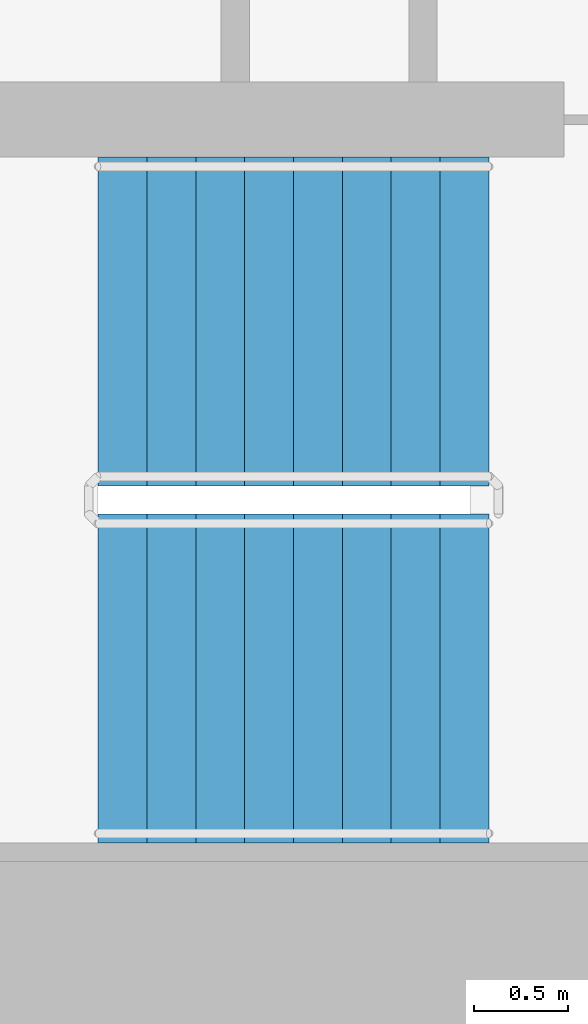
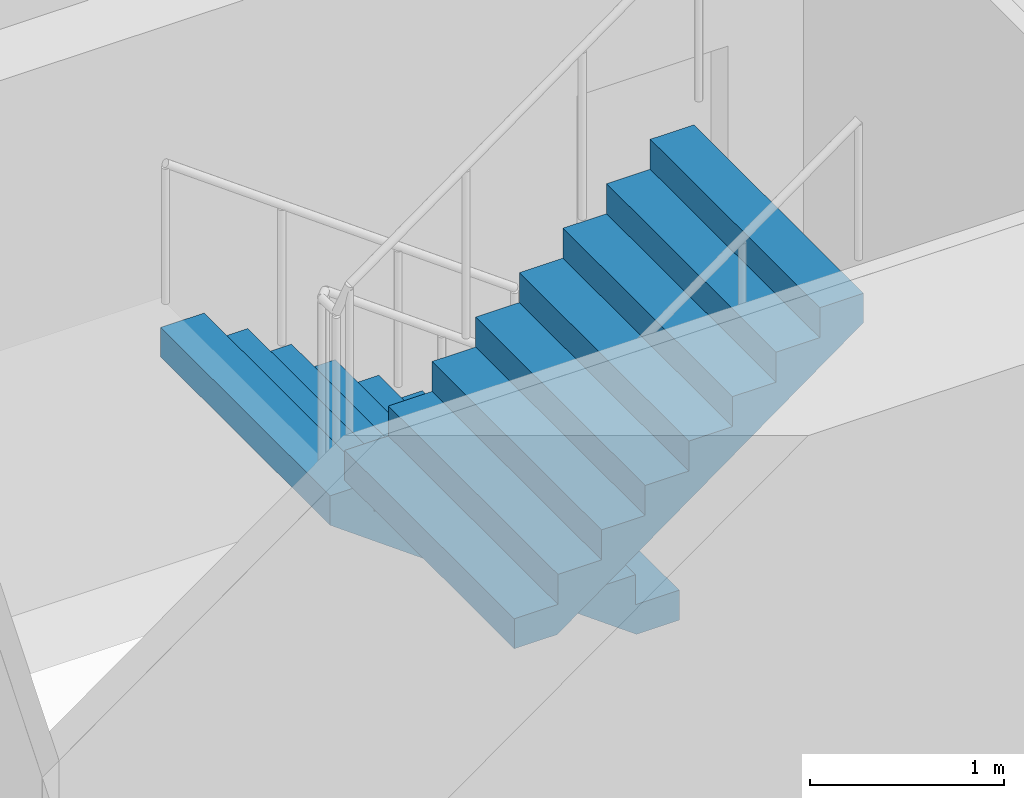
# One storey, part 16 of 21: 2 stair flights, 1 element without a shape of its own.
"""IFC4 building model written with IfcOpenShell, lengths in metres."""

from ifc_helpers import new_model, si_unit, direction, frame, origin, place, context, subcontext, project, spatial, faceted_brep, material, type_object, element, aggregate, save


model = new_model("IFC4")

# Units and contexts
model_context = context("Model", 3, precision=1e-05, world=origin(), true_north=direction((0.0, 1.0)))
body_context = subcontext(model_context, "Body", "Model", "MODEL_VIEW")
ifc_project = project(units=[si_unit("LENGTHUNIT", "METRE"), si_unit("AREAUNIT", "SQUARE_METRE"), si_unit("VOLUMEUNIT", "CUBIC_METRE"), si_unit("PLANEANGLEUNIT", "RADIAN"), si_unit("MASSUNIT", "GRAM", prefix="KILO")], contexts=[model_context])

# Site, building, storey
site_placement = place(None, origin())
site = spatial("IfcSite", under=ifc_project, at=site_placement, CompositionType="ELEMENT")
building_placement = place(site_placement, origin())
building = spatial("IfcBuilding", under=site, at=building_placement, Name="Ipe Terrace Towers", CompositionType="ELEMENT")
storey_placement = place(building_placement, frame((0.0, 0.0, 27.89990234375)))
storey = spatial("IfcBuildingStorey", under=building, at=storey_placement, Name="L06", CompositionType="ELEMENT", Elevation=27.89990234375)

# Stair, stair flights
ifc_material_1 = material(Name="Concrete C30/37", Category="concrete")
stair_type = type_object("IfcStairType", Name="Protected exit stair", PredefinedType="HALF_TURN_STAIR", material=ifc_material_1)
stair_placement = place(storey_placement, origin())
stair = element("IfcStair", 1, at=stair_placement, inside=storey, type_object=stair_type, Name="L06 Exit stair T1-C2", PredefinedType="HALF_TURN_STAIR")
ifc_material_2 = material(Name="Concrete C30/37", Category="concrete")
stair_flight_type = type_object("IfcStairFlightType", Name="Exit stair flight 1750", PredefinedType="STRAIGHT", material=ifc_material_2)
stair_flight_1_placement = place(storey_placement, frame((-45.699951171875, -2.77490234375, 0.0), z_axis=(0.0, 0.0, 1.0), x_axis=(-1.0, 0.0, 0.0)))
stair_flight_1 = element("IfcStairFlight", 2, at=stair_flight_1_placement, type_object=stair_flight_type, Name="T1-ST2 flight 1", NumberOfRisers=9, NumberOfTreads=8, PredefinedType="STRAIGHT", RiserHeight=0.188888889, TreadLength=0.26, context=body_context, shape_type="Brep", body=[
    faceted_brep([(0.255126953125, -0.875, 0.0), (2.080078125, -0.875, 1.325927734375), (2.080078125, -0.875, 1.51123046875), (1.820068359375, -0.875, 1.51123046875), (1.820068359375, -0.875, 1.322265625), (1.56005859375, -0.875, 1.322265625), (1.56005859375, -0.875, 1.13330078125), (1.300048828125, -0.875, 1.13330078125), (1.300048828125, -0.875, 0.9443359375), (1.0400390625, -0.875, 0.9443359375), (1.0400390625, -0.875, 0.755615234375), (0.780029296875, -0.875, 0.755615234375), (0.780029296875, -0.875, 0.566650390625), (0.52001953125, -0.875, 0.566650390625), (0.52001953125, -0.875, 0.377685546875), (0.260009765625, -0.875, 0.377685546875), (0.260009765625, -0.875, 0.18896484375), (0.0, -0.875, 0.18896484375), (0.0, -0.875, 0.0), (0.0, 0.875, 0.0), (0.0, 0.875, 0.18896484375), (0.260009765625, 0.875, 0.18896484375), (0.260009765625, 0.875, 0.377685546875), (0.52001953125, 0.875, 0.377685546875), (0.52001953125, 0.875, 0.566650390625), (0.780029296875, 0.875, 0.566650390625), (0.780029296875, 0.875, 0.755615234375), (1.0400390625, 0.875, 0.755615234375), (1.0400390625, 0.875, 0.9443359375), (1.300048828125, 0.875, 0.9443359375), (1.300048828125, 0.875, 1.13330078125), (1.56005859375, 0.875, 1.13330078125), (1.56005859375, 0.875, 1.322265625), (1.820068359375, 0.875, 1.322265625), (1.820068359375, 0.875, 1.51123046875), (2.080078125, 0.875, 1.51123046875), (2.080078125, 0.875, 1.325927734375), (0.255126953125, 0.875, 0.0), (0.0, -0.300048828125, 0.18896484375), (0.0, -0.1201171875, 0.18896484375), (0.0, -0.06005859375, 0.18896484375), (0.0, -0.030029296875, 0.18896484375), (0.0, -0.010009765625, 0.18896484375), (0.0, 0.0, 0.18896484375), (0.0, 0.010009765625, 0.18896484375), (0.0, 0.030029296875, 0.18896484375), (0.0, 0.06005859375, 0.18896484375), (0.0, 0.1201171875, 0.18896484375), (0.0, 0.300048828125, 0.18896484375), (0.0, 0.300048828125, 0.0), (0.0, 0.1201171875, 0.0), (0.0, 0.06005859375, 0.0), (0.0, 0.030029296875, 0.0), (0.0, 0.010009765625, 0.0), (0.0, 0.0, 0.0), (0.0, -0.010009765625, 0.0), (0.0, -0.030029296875, 0.0), (0.0, -0.06005859375, 0.0), (0.0, -0.1201171875, 0.0), (0.0, -0.300048828125, 0.0), (0.260009765625, -0.300048828125, 0.18896484375), (0.260009765625, -0.1201171875, 0.18896484375), (0.260009765625, -0.06005859375, 0.18896484375), (0.260009765625, -0.030029296875, 0.18896484375), (0.260009765625, -0.010009765625, 0.18896484375), (0.260009765625, 0.0, 0.18896484375), (0.260009765625, 0.010009765625, 0.18896484375), (0.260009765625, 0.030029296875, 0.18896484375), (0.260009765625, 0.06005859375, 0.18896484375), (0.260009765625, 0.1201171875, 0.18896484375), (0.260009765625, 0.300048828125, 0.18896484375), (0.260009765625, -0.300048828125, 0.377685546875), (0.260009765625, -0.1201171875, 0.377685546875), (0.260009765625, -0.06005859375, 0.377685546875), (0.260009765625, -0.030029296875, 0.377685546875), (0.260009765625, -0.010009765625, 0.377685546875), (0.260009765625, 0.0, 0.377685546875), (0.260009765625, 0.010009765625, 0.377685546875), (0.260009765625, 0.030029296875, 0.377685546875), (0.260009765625, 0.06005859375, 0.377685546875), (0.260009765625, 0.1201171875, 0.377685546875), (0.260009765625, 0.300048828125, 0.377685546875), (0.52001953125, -0.300048828125, 0.377685546875), (0.52001953125, -0.1201171875, 0.377685546875), (0.52001953125, -0.06005859375, 0.377685546875), (0.52001953125, -0.030029296875, 0.377685546875), (0.52001953125, -0.010009765625, 0.377685546875), (0.52001953125, 0.0, 0.377685546875), (0.52001953125, 0.010009765625, 0.377685546875), (0.52001953125, 0.030029296875, 0.377685546875), (0.52001953125, 0.06005859375, 0.377685546875), (0.52001953125, 0.1201171875, 0.377685546875), (0.52001953125, 0.300048828125, 0.377685546875), (0.52001953125, -0.300048828125, 0.566650390625), (0.52001953125, -0.1201171875, 0.566650390625), (0.52001953125, -0.06005859375, 0.566650390625), (0.52001953125, -0.030029296875, 0.566650390625), (0.52001953125, -0.010009765625, 0.566650390625), (0.52001953125, 0.0, 0.566650390625), (0.52001953125, 0.010009765625, 0.566650390625), (0.52001953125, 0.030029296875, 0.566650390625), (0.52001953125, 0.06005859375, 0.566650390625), (0.52001953125, 0.1201171875, 0.566650390625), (0.52001953125, 0.300048828125, 0.566650390625), (0.780029296875, -0.300048828125, 0.566650390625), (0.780029296875, -0.1201171875, 0.566650390625), (0.780029296875, -0.06005859375, 0.566650390625), (0.780029296875, -0.030029296875, 0.566650390625), (0.780029296875, -0.010009765625, 0.566650390625), (0.780029296875, 0.0, 0.566650390625), (0.780029296875, 0.010009765625, 0.566650390625), (0.780029296875, 0.030029296875, 0.566650390625), (0.780029296875, 0.06005859375, 0.566650390625), (0.780029296875, 0.1201171875, 0.566650390625), (0.780029296875, 0.300048828125, 0.566650390625), (0.780029296875, -0.300048828125, 0.755615234375), (0.780029296875, -0.1201171875, 0.755615234375), (0.780029296875, -0.06005859375, 0.755615234375), (0.780029296875, -0.030029296875, 0.755615234375), (0.780029296875, -0.010009765625, 0.755615234375), (0.780029296875, 0.0, 0.755615234375), (0.780029296875, 0.010009765625, 0.755615234375), (0.780029296875, 0.030029296875, 0.755615234375), (0.780029296875, 0.06005859375, 0.755615234375), (0.780029296875, 0.1201171875, 0.755615234375), (0.780029296875, 0.300048828125, 0.755615234375), (1.0400390625, -0.300048828125, 0.755615234375), (1.0400390625, -0.1201171875, 0.755615234375), (1.0400390625, -0.06005859375, 0.755615234375), (1.0400390625, -0.030029296875, 0.755615234375), (1.0400390625, -0.010009765625, 0.755615234375), (1.0400390625, 0.0, 0.755615234375), (1.0400390625, 0.010009765625, 0.755615234375), (1.0400390625, 0.030029296875, 0.755615234375), (1.0400390625, 0.06005859375, 0.755615234375), (1.0400390625, 0.1201171875, 0.755615234375), (1.0400390625, 0.300048828125, 0.755615234375), (1.0400390625, -0.300048828125, 0.9443359375), (1.0400390625, -0.1201171875, 0.9443359375), (1.0400390625, -0.06005859375, 0.9443359375), (1.0400390625, -0.030029296875, 0.9443359375), (1.0400390625, -0.010009765625, 0.9443359375), (1.0400390625, 0.0, 0.9443359375), (1.0400390625, 0.010009765625, 0.9443359375), (1.0400390625, 0.030029296875, 0.9443359375), (1.0400390625, 0.06005859375, 0.9443359375), (1.0400390625, 0.1201171875, 0.9443359375), (1.0400390625, 0.300048828125, 0.9443359375), (1.300048828125, -0.300048828125, 0.9443359375), (1.300048828125, -0.1201171875, 0.9443359375), (1.300048828125, -0.06005859375, 0.9443359375), (1.300048828125, -0.030029296875, 0.9443359375), (1.300048828125, -0.010009765625, 0.9443359375), (1.300048828125, 0.0, 0.9443359375), (1.300048828125, 0.010009765625, 0.9443359375), (1.300048828125, 0.030029296875, 0.9443359375), (1.300048828125, 0.06005859375, 0.9443359375), (1.300048828125, 0.1201171875, 0.9443359375), (1.300048828125, 0.300048828125, 0.9443359375), (1.300048828125, -0.300048828125, 1.13330078125), (1.300048828125, -0.1201171875, 1.13330078125), (1.300048828125, -0.06005859375, 1.13330078125), (1.300048828125, -0.030029296875, 1.13330078125), (1.300048828125, -0.010009765625, 1.13330078125), (1.300048828125, 0.0, 1.13330078125), (1.300048828125, 0.010009765625, 1.13330078125), (1.300048828125, 0.030029296875, 1.13330078125), (1.300048828125, 0.06005859375, 1.13330078125), (1.300048828125, 0.1201171875, 1.13330078125), (1.300048828125, 0.300048828125, 1.13330078125), (1.56005859375, -0.300048828125, 1.13330078125), (1.56005859375, -0.1201171875, 1.13330078125), (1.56005859375, -0.06005859375, 1.13330078125), (1.56005859375, -0.030029296875, 1.13330078125), (1.56005859375, -0.010009765625, 1.13330078125), (1.56005859375, 0.0, 1.13330078125), (1.56005859375, 0.010009765625, 1.13330078125), (1.56005859375, 0.030029296875, 1.13330078125), (1.56005859375, 0.06005859375, 1.13330078125), (1.56005859375, 0.1201171875, 1.13330078125), (1.56005859375, 0.300048828125, 1.13330078125), (1.56005859375, -0.300048828125, 1.322265625), (1.56005859375, -0.1201171875, 1.322265625), (1.56005859375, -0.06005859375, 1.322265625), (1.56005859375, -0.030029296875, 1.322265625), (1.56005859375, -0.010009765625, 1.322265625), (1.56005859375, 0.0, 1.322265625), (1.56005859375, 0.010009765625, 1.322265625), (1.56005859375, 0.030029296875, 1.322265625), (1.56005859375, 0.06005859375, 1.322265625), (1.56005859375, 0.1201171875, 1.322265625), (1.56005859375, 0.300048828125, 1.322265625), (1.820068359375, -0.300048828125, 1.322265625), (1.820068359375, -0.1201171875, 1.322265625), (1.820068359375, -0.06005859375, 1.322265625), (1.820068359375, -0.030029296875, 1.322265625), (1.820068359375, -0.010009765625, 1.322265625), (1.820068359375, 0.0, 1.322265625), (1.820068359375, 0.010009765625, 1.322265625), (1.820068359375, 0.030029296875, 1.322265625), (1.820068359375, 0.06005859375, 1.322265625), (1.820068359375, 0.1201171875, 1.322265625), (1.820068359375, 0.300048828125, 1.322265625), (1.820068359375, -0.300048828125, 1.51123046875), (1.820068359375, -0.1201171875, 1.51123046875), (1.820068359375, -0.06005859375, 1.51123046875), (1.820068359375, -0.030029296875, 1.51123046875), (1.820068359375, -0.010009765625, 1.51123046875), (1.820068359375, 0.0, 1.51123046875), (1.820068359375, 0.010009765625, 1.51123046875), (1.820068359375, 0.030029296875, 1.51123046875), (1.820068359375, 0.06005859375, 1.51123046875), (1.820068359375, 0.1201171875, 1.51123046875), (1.820068359375, 0.300048828125, 1.51123046875), (2.080078125, -0.300048828125, 1.51123046875), (2.080078125, -0.1201171875, 1.51123046875), (2.080078125, -0.06005859375, 1.51123046875), (2.080078125, -0.030029296875, 1.51123046875), (2.080078125, -0.010009765625, 1.51123046875), (2.080078125, 0.0, 1.51123046875), (2.080078125, 0.010009765625, 1.51123046875), (2.080078125, 0.030029296875, 1.51123046875), (2.080078125, 0.06005859375, 1.51123046875), (2.080078125, 0.1201171875, 1.51123046875), (2.080078125, 0.300048828125, 1.51123046875), (2.080078125, -0.300048828125, 1.325927734375), (2.080078125, -0.1201171875, 1.325927734375), (2.080078125, -0.06005859375, 1.325927734375), (2.080078125, -0.030029296875, 1.325927734375), (2.080078125, -0.010009765625, 1.325927734375), (2.080078125, 0.0, 1.325927734375), (2.080078125, 0.010009765625, 1.325927734375), (2.080078125, 0.030029296875, 1.325927734375), (2.080078125, 0.06005859375, 1.325927734375), (2.080078125, 0.1201171875, 1.325927734375), (2.080078125, 0.300048828125, 1.325927734375), (0.255126953125, -0.300048828125, 0.0), (0.255126953125, -0.1201171875, 0.0), (0.255126953125, -0.06005859375, 0.0), (0.255126953125, -0.030029296875, 0.0), (0.255126953125, -0.010009765625, 0.0), (0.255126953125, 0.0, 0.0), (0.255126953125, 0.010009765625, 0.0), (0.255126953125, 0.030029296875, 0.0), (0.255126953125, 0.06005859375, 0.0), (0.255126953125, 0.1201171875, 0.0), (0.255126953125, 0.300048828125, 0.0)], [[[0, 1, 2, 3, 4, 5, 6, 7, 8, 9, 10, 11, 12, 13, 14, 15, 16, 17, 18]], [[19, 20, 21, 22, 23, 24, 25, 26, 27, 28, 29, 30, 31, 32, 33, 34, 35, 36, 37]], [[17, 38, 39, 40, 41, 42, 43, 44, 45, 46, 47, 48, 20, 19, 49, 50, 51, 52, 53, 54, 55, 56, 57, 58, 59, 18]], [[16, 60, 61, 62, 63, 64, 65, 66, 67, 68, 69, 70, 21, 20, 48, 47, 46, 45, 44, 43, 42, 41, 40, 39, 38, 17]], [[15, 71, 72, 73, 74, 75, 76, 77, 78, 79, 80, 81, 22, 21, 70, 69, 68, 67, 66, 65, 64, 63, 62, 61, 60, 16]], [[14, 82, 83, 84, 85, 86, 87, 88, 89, 90, 91, 92, 23, 22, 81, 80, 79, 78, 77, 76, 75, 74, 73, 72, 71, 15]], [[13, 93, 94, 95, 96, 97, 98, 99, 100, 101, 102, 103, 24, 23, 92, 91, 90, 89, 88, 87, 86, 85, 84, 83, 82, 14]], [[12, 104, 105, 106, 107, 108, 109, 110, 111, 112, 113, 114, 25, 24, 103, 102, 101, 100, 99, 98, 97, 96, 95, 94, 93, 13]], [[11, 115, 116, 117, 118, 119, 120, 121, 122, 123, 124, 125, 26, 25, 114, 113, 112, 111, 110, 109, 108, 107, 106, 105, 104, 12]], [[10, 126, 127, 128, 129, 130, 131, 132, 133, 134, 135, 136, 27, 26, 125, 124, 123, 122, 121, 120, 119, 118, 117, 116, 115, 11]], [[9, 137, 138, 139, 140, 141, 142, 143, 144, 145, 146, 147, 28, 27, 136, 135, 134, 133, 132, 131, 130, 129, 128, 127, 126, 10]], [[8, 148, 149, 150, 151, 152, 153, 154, 155, 156, 157, 158, 29, 28, 147, 146, 145, 144, 143, 142, 141, 140, 139, 138, 137, 9]], [[7, 159, 160, 161, 162, 163, 164, 165, 166, 167, 168, 169, 30, 29, 158, 157, 156, 155, 154, 153, 152, 151, 150, 149, 148, 8]], [[6, 170, 171, 172, 173, 174, 175, 176, 177, 178, 179, 180, 31, 30, 169, 168, 167, 166, 165, 164, 163, 162, 161, 160, 159, 7]], [[5, 181, 182, 183, 184, 185, 186, 187, 188, 189, 190, 191, 32, 31, 180, 179, 178, 177, 176, 175, 174, 173, 172, 171, 170, 6]], [[4, 192, 193, 194, 195, 196, 197, 198, 199, 200, 201, 202, 33, 32, 191, 190, 189, 188, 187, 186, 185, 184, 183, 182, 181, 5]], [[3, 203, 204, 205, 206, 207, 208, 209, 210, 211, 212, 213, 34, 33, 202, 201, 200, 199, 198, 197, 196, 195, 194, 193, 192, 4]], [[2, 214, 215, 216, 217, 218, 219, 220, 221, 222, 223, 224, 35, 34, 213, 212, 211, 210, 209, 208, 207, 206, 205, 204, 203, 3]], [[1, 225, 226, 227, 228, 229, 230, 231, 232, 233, 234, 235, 36, 35, 224, 223, 222, 221, 220, 219, 218, 217, 216, 215, 214, 2]], [[0, 236, 237, 238, 239, 240, 241, 242, 243, 244, 245, 246, 37, 36, 235, 234, 233, 232, 231, 230, 229, 228, 227, 226, 225, 1]], [[18, 59, 58, 57, 56, 55, 54, 53, 52, 51, 50, 49, 19, 37, 246, 245, 244, 243, 242, 241, 240, 239, 238, 237, 236, 0]]]),
])
stair_flight_2_placement = place(storey_placement, frame((-47.780029296875, -4.675048828125, 1.7001953125), z_axis=(0.0, 0.0, 1.0), x_axis=(1.0, 0.0, 0.0)))
stair_flight_2 = element("IfcStairFlight", 3, at=stair_flight_2_placement, type_object=stair_flight_type, Name="T1-ST2 flight 2", NumberOfRisers=9, NumberOfTreads=8, PredefinedType="STRAIGHT", RiserHeight=0.188888889, TreadLength=0.26, context=body_context, shape_type="Brep", body=[
    faceted_brep([(0.255126953125, -0.875, 0.0), (2.080078125, -0.875, 1.325927734375), (2.080078125, -0.875, 1.51123046875), (1.820068359375, -0.875, 1.51123046875), (1.820068359375, -0.875, 1.322265625), (1.56005859375, -0.875, 1.322265625), (1.56005859375, -0.875, 1.13330078125), (1.300048828125, -0.875, 1.13330078125), (1.300048828125, -0.875, 0.9443359375), (1.0400390625, -0.875, 0.9443359375), (1.0400390625, -0.875, 0.755615234375), (0.780029296875, -0.875, 0.755615234375), (0.780029296875, -0.875, 0.566650390625), (0.52001953125, -0.875, 0.566650390625), (0.52001953125, -0.875, 0.377685546875), (0.260009765625, -0.875, 0.377685546875), (0.260009765625, -0.875, 0.18896484375), (0.0, -0.875, 0.18896484375), (0.0, -0.875, 0.0), (0.0, 0.875, 0.0), (0.0, 0.875, 0.18896484375), (0.260009765625, 0.875, 0.18896484375), (0.260009765625, 0.875, 0.377685546875), (0.52001953125, 0.875, 0.377685546875), (0.52001953125, 0.875, 0.566650390625), (0.780029296875, 0.875, 0.566650390625), (0.780029296875, 0.875, 0.755615234375), (1.0400390625, 0.875, 0.755615234375), (1.0400390625, 0.875, 0.9443359375), (1.300048828125, 0.875, 0.9443359375), (1.300048828125, 0.875, 1.13330078125), (1.56005859375, 0.875, 1.13330078125), (1.56005859375, 0.875, 1.322265625), (1.820068359375, 0.875, 1.322265625), (1.820068359375, 0.875, 1.51123046875), (2.080078125, 0.875, 1.51123046875), (2.080078125, 0.875, 1.325927734375), (0.255126953125, 0.875, 0.0), (0.0, -0.300048828125, 0.18896484375), (0.0, -0.1201171875, 0.18896484375), (0.0, -0.06005859375, 0.18896484375), (0.0, -0.030029296875, 0.18896484375), (0.0, -0.010009765625, 0.18896484375), (0.0, 0.0, 0.18896484375), (0.0, 0.010009765625, 0.18896484375), (0.0, 0.030029296875, 0.18896484375), (0.0, 0.06005859375, 0.18896484375), (0.0, 0.1201171875, 0.18896484375), (0.0, 0.300048828125, 0.18896484375), (0.0, 0.300048828125, 0.0), (0.0, 0.1201171875, 0.0), (0.0, 0.06005859375, 0.0), (0.0, 0.030029296875, 0.0), (0.0, 0.010009765625, 0.0), (0.0, 0.0, 0.0), (0.0, -0.010009765625, 0.0), (0.0, -0.030029296875, 0.0), (0.0, -0.06005859375, 0.0), (0.0, -0.1201171875, 0.0), (0.0, -0.300048828125, 0.0), (0.260009765625, -0.300048828125, 0.18896484375), (0.260009765625, -0.1201171875, 0.18896484375), (0.260009765625, -0.06005859375, 0.18896484375), (0.260009765625, -0.030029296875, 0.18896484375), (0.260009765625, -0.010009765625, 0.18896484375), (0.260009765625, 0.0, 0.18896484375), (0.260009765625, 0.010009765625, 0.18896484375), (0.260009765625, 0.030029296875, 0.18896484375), (0.260009765625, 0.06005859375, 0.18896484375), (0.260009765625, 0.1201171875, 0.18896484375), (0.260009765625, 0.300048828125, 0.18896484375), (0.260009765625, -0.300048828125, 0.377685546875), (0.260009765625, -0.1201171875, 0.377685546875), (0.260009765625, -0.06005859375, 0.377685546875), (0.260009765625, -0.030029296875, 0.377685546875), (0.260009765625, -0.010009765625, 0.377685546875), (0.260009765625, 0.0, 0.377685546875), (0.260009765625, 0.010009765625, 0.377685546875), (0.260009765625, 0.030029296875, 0.377685546875), (0.260009765625, 0.06005859375, 0.377685546875), (0.260009765625, 0.1201171875, 0.377685546875), (0.260009765625, 0.300048828125, 0.377685546875), (0.52001953125, -0.300048828125, 0.377685546875), (0.52001953125, -0.1201171875, 0.377685546875), (0.52001953125, -0.06005859375, 0.377685546875), (0.52001953125, -0.030029296875, 0.377685546875), (0.52001953125, -0.010009765625, 0.377685546875), (0.52001953125, 0.0, 0.377685546875), (0.52001953125, 0.010009765625, 0.377685546875), (0.52001953125, 0.030029296875, 0.377685546875), (0.52001953125, 0.06005859375, 0.377685546875), (0.52001953125, 0.1201171875, 0.377685546875), (0.52001953125, 0.300048828125, 0.377685546875), (0.52001953125, -0.300048828125, 0.566650390625), (0.52001953125, -0.1201171875, 0.566650390625), (0.52001953125, -0.06005859375, 0.566650390625), (0.52001953125, -0.030029296875, 0.566650390625), (0.52001953125, -0.010009765625, 0.566650390625), (0.52001953125, 0.0, 0.566650390625), (0.52001953125, 0.010009765625, 0.566650390625), (0.52001953125, 0.030029296875, 0.566650390625), (0.52001953125, 0.06005859375, 0.566650390625), (0.52001953125, 0.1201171875, 0.566650390625), (0.52001953125, 0.300048828125, 0.566650390625), (0.780029296875, -0.300048828125, 0.566650390625), (0.780029296875, -0.1201171875, 0.566650390625), (0.780029296875, -0.06005859375, 0.566650390625), (0.780029296875, -0.030029296875, 0.566650390625), (0.780029296875, -0.010009765625, 0.566650390625), (0.780029296875, 0.0, 0.566650390625), (0.780029296875, 0.010009765625, 0.566650390625), (0.780029296875, 0.030029296875, 0.566650390625), (0.780029296875, 0.06005859375, 0.566650390625), (0.780029296875, 0.1201171875, 0.566650390625), (0.780029296875, 0.300048828125, 0.566650390625), (0.780029296875, -0.300048828125, 0.755615234375), (0.780029296875, -0.1201171875, 0.755615234375), (0.780029296875, -0.06005859375, 0.755615234375), (0.780029296875, -0.030029296875, 0.755615234375), (0.780029296875, -0.010009765625, 0.755615234375), (0.780029296875, 0.0, 0.755615234375), (0.780029296875, 0.010009765625, 0.755615234375), (0.780029296875, 0.030029296875, 0.755615234375), (0.780029296875, 0.06005859375, 0.755615234375), (0.780029296875, 0.1201171875, 0.755615234375), (0.780029296875, 0.300048828125, 0.755615234375), (1.0400390625, -0.300048828125, 0.755615234375), (1.0400390625, -0.1201171875, 0.755615234375), (1.0400390625, -0.06005859375, 0.755615234375), (1.0400390625, -0.030029296875, 0.755615234375), (1.0400390625, -0.010009765625, 0.755615234375), (1.0400390625, 0.0, 0.755615234375), (1.0400390625, 0.010009765625, 0.755615234375), (1.0400390625, 0.030029296875, 0.755615234375), (1.0400390625, 0.06005859375, 0.755615234375), (1.0400390625, 0.1201171875, 0.755615234375), (1.0400390625, 0.300048828125, 0.755615234375), (1.0400390625, -0.300048828125, 0.9443359375), (1.0400390625, -0.1201171875, 0.9443359375), (1.0400390625, -0.06005859375, 0.9443359375), (1.0400390625, -0.030029296875, 0.9443359375), (1.0400390625, -0.010009765625, 0.9443359375), (1.0400390625, 0.0, 0.9443359375), (1.0400390625, 0.010009765625, 0.9443359375), (1.0400390625, 0.030029296875, 0.9443359375), (1.0400390625, 0.06005859375, 0.9443359375), (1.0400390625, 0.1201171875, 0.9443359375), (1.0400390625, 0.300048828125, 0.9443359375), (1.300048828125, -0.300048828125, 0.9443359375), (1.300048828125, -0.1201171875, 0.9443359375), (1.300048828125, -0.06005859375, 0.9443359375), (1.300048828125, -0.030029296875, 0.9443359375), (1.300048828125, -0.010009765625, 0.9443359375), (1.300048828125, 0.0, 0.9443359375), (1.300048828125, 0.010009765625, 0.9443359375), (1.300048828125, 0.030029296875, 0.9443359375), (1.300048828125, 0.06005859375, 0.9443359375), (1.300048828125, 0.1201171875, 0.9443359375), (1.300048828125, 0.300048828125, 0.9443359375), (1.300048828125, -0.300048828125, 1.13330078125), (1.300048828125, -0.1201171875, 1.13330078125), (1.300048828125, -0.06005859375, 1.13330078125), (1.300048828125, -0.030029296875, 1.13330078125), (1.300048828125, -0.010009765625, 1.13330078125), (1.300048828125, 0.0, 1.13330078125), (1.300048828125, 0.010009765625, 1.13330078125), (1.300048828125, 0.030029296875, 1.13330078125), (1.300048828125, 0.06005859375, 1.13330078125), (1.300048828125, 0.1201171875, 1.13330078125), (1.300048828125, 0.300048828125, 1.13330078125), (1.56005859375, -0.300048828125, 1.13330078125), (1.56005859375, -0.1201171875, 1.13330078125), (1.56005859375, -0.06005859375, 1.13330078125), (1.56005859375, -0.030029296875, 1.13330078125), (1.56005859375, -0.010009765625, 1.13330078125), (1.56005859375, 0.0, 1.13330078125), (1.56005859375, 0.010009765625, 1.13330078125), (1.56005859375, 0.030029296875, 1.13330078125), (1.56005859375, 0.06005859375, 1.13330078125), (1.56005859375, 0.1201171875, 1.13330078125), (1.56005859375, 0.300048828125, 1.13330078125), (1.56005859375, -0.300048828125, 1.322265625), (1.56005859375, -0.1201171875, 1.322265625), (1.56005859375, -0.06005859375, 1.322265625), (1.56005859375, -0.030029296875, 1.322265625), (1.56005859375, -0.010009765625, 1.322265625), (1.56005859375, 0.0, 1.322265625), (1.56005859375, 0.010009765625, 1.322265625), (1.56005859375, 0.030029296875, 1.322265625), (1.56005859375, 0.06005859375, 1.322265625), (1.56005859375, 0.1201171875, 1.322265625), (1.56005859375, 0.300048828125, 1.322265625), (1.820068359375, -0.300048828125, 1.322265625), (1.820068359375, -0.1201171875, 1.322265625), (1.820068359375, -0.06005859375, 1.322265625), (1.820068359375, -0.030029296875, 1.322265625), (1.820068359375, -0.010009765625, 1.322265625), (1.820068359375, 0.0, 1.322265625), (1.820068359375, 0.010009765625, 1.322265625), (1.820068359375, 0.030029296875, 1.322265625), (1.820068359375, 0.06005859375, 1.322265625), (1.820068359375, 0.1201171875, 1.322265625), (1.820068359375, 0.300048828125, 1.322265625), (1.820068359375, -0.300048828125, 1.51123046875), (1.820068359375, -0.1201171875, 1.51123046875), (1.820068359375, -0.06005859375, 1.51123046875), (1.820068359375, -0.030029296875, 1.51123046875), (1.820068359375, -0.010009765625, 1.51123046875), (1.820068359375, 0.0, 1.51123046875), (1.820068359375, 0.010009765625, 1.51123046875), (1.820068359375, 0.030029296875, 1.51123046875), (1.820068359375, 0.06005859375, 1.51123046875), (1.820068359375, 0.1201171875, 1.51123046875), (1.820068359375, 0.300048828125, 1.51123046875), (2.080078125, -0.300048828125, 1.51123046875), (2.080078125, -0.1201171875, 1.51123046875), (2.080078125, -0.06005859375, 1.51123046875), (2.080078125, -0.030029296875, 1.51123046875), (2.080078125, -0.010009765625, 1.51123046875), (2.080078125, 0.0, 1.51123046875), (2.080078125, 0.010009765625, 1.51123046875), (2.080078125, 0.030029296875, 1.51123046875), (2.080078125, 0.06005859375, 1.51123046875), (2.080078125, 0.1201171875, 1.51123046875), (2.080078125, 0.300048828125, 1.51123046875), (2.080078125, -0.300048828125, 1.325927734375), (2.080078125, -0.1201171875, 1.325927734375), (2.080078125, -0.06005859375, 1.325927734375), (2.080078125, -0.030029296875, 1.325927734375), (2.080078125, -0.010009765625, 1.325927734375), (2.080078125, 0.0, 1.325927734375), (2.080078125, 0.010009765625, 1.325927734375), (2.080078125, 0.030029296875, 1.325927734375), (2.080078125, 0.06005859375, 1.325927734375), (2.080078125, 0.1201171875, 1.325927734375), (2.080078125, 0.300048828125, 1.325927734375), (0.255126953125, -0.300048828125, 0.0), (0.255126953125, -0.1201171875, 0.0), (0.255126953125, -0.06005859375, 0.0), (0.255126953125, -0.030029296875, 0.0), (0.255126953125, -0.010009765625, 0.0), (0.255126953125, 0.0, 0.0), (0.255126953125, 0.010009765625, 0.0), (0.255126953125, 0.030029296875, 0.0), (0.255126953125, 0.06005859375, 0.0), (0.255126953125, 0.1201171875, 0.0), (0.255126953125, 0.300048828125, 0.0)], [[[0, 1, 2, 3, 4, 5, 6, 7, 8, 9, 10, 11, 12, 13, 14, 15, 16, 17, 18]], [[19, 20, 21, 22, 23, 24, 25, 26, 27, 28, 29, 30, 31, 32, 33, 34, 35, 36, 37]], [[17, 38, 39, 40, 41, 42, 43, 44, 45, 46, 47, 48, 20, 19, 49, 50, 51, 52, 53, 54, 55, 56, 57, 58, 59, 18]], [[16, 60, 61, 62, 63, 64, 65, 66, 67, 68, 69, 70, 21, 20, 48, 47, 46, 45, 44, 43, 42, 41, 40, 39, 38, 17]], [[15, 71, 72, 73, 74, 75, 76, 77, 78, 79, 80, 81, 22, 21, 70, 69, 68, 67, 66, 65, 64, 63, 62, 61, 60, 16]], [[14, 82, 83, 84, 85, 86, 87, 88, 89, 90, 91, 92, 23, 22, 81, 80, 79, 78, 77, 76, 75, 74, 73, 72, 71, 15]], [[13, 93, 94, 95, 96, 97, 98, 99, 100, 101, 102, 103, 24, 23, 92, 91, 90, 89, 88, 87, 86, 85, 84, 83, 82, 14]], [[12, 104, 105, 106, 107, 108, 109, 110, 111, 112, 113, 114, 25, 24, 103, 102, 101, 100, 99, 98, 97, 96, 95, 94, 93, 13]], [[11, 115, 116, 117, 118, 119, 120, 121, 122, 123, 124, 125, 26, 25, 114, 113, 112, 111, 110, 109, 108, 107, 106, 105, 104, 12]], [[10, 126, 127, 128, 129, 130, 131, 132, 133, 134, 135, 136, 27, 26, 125, 124, 123, 122, 121, 120, 119, 118, 117, 116, 115, 11]], [[9, 137, 138, 139, 140, 141, 142, 143, 144, 145, 146, 147, 28, 27, 136, 135, 134, 133, 132, 131, 130, 129, 128, 127, 126, 10]], [[8, 148, 149, 150, 151, 152, 153, 154, 155, 156, 157, 158, 29, 28, 147, 146, 145, 144, 143, 142, 141, 140, 139, 138, 137, 9]], [[7, 159, 160, 161, 162, 163, 164, 165, 166, 167, 168, 169, 30, 29, 158, 157, 156, 155, 154, 153, 152, 151, 150, 149, 148, 8]], [[6, 170, 171, 172, 173, 174, 175, 176, 177, 178, 179, 180, 31, 30, 169, 168, 167, 166, 165, 164, 163, 162, 161, 160, 159, 7]], [[5, 181, 182, 183, 184, 185, 186, 187, 188, 189, 190, 191, 32, 31, 180, 179, 178, 177, 176, 175, 174, 173, 172, 171, 170, 6]], [[4, 192, 193, 194, 195, 196, 197, 198, 199, 200, 201, 202, 33, 32, 191, 190, 189, 188, 187, 186, 185, 184, 183, 182, 181, 5]], [[3, 203, 204, 205, 206, 207, 208, 209, 210, 211, 212, 213, 34, 33, 202, 201, 200, 199, 198, 197, 196, 195, 194, 193, 192, 4]], [[2, 214, 215, 216, 217, 218, 219, 220, 221, 222, 223, 224, 35, 34, 213, 212, 211, 210, 209, 208, 207, 206, 205, 204, 203, 3]], [[1, 225, 226, 227, 228, 229, 230, 231, 232, 233, 234, 235, 36, 35, 224, 223, 222, 221, 220, 219, 218, 217, 216, 215, 214, 2]], [[0, 236, 237, 238, 239, 240, 241, 242, 243, 244, 245, 246, 37, 36, 235, 234, 233, 232, 231, 230, 229, 228, 227, 226, 225, 1]], [[18, 59, 58, 57, 56, 55, 54, 53, 52, 51, 50, 49, 19, 37, 246, 245, 244, 243, 242, 241, 240, 239, 238, 237, 236, 0]]]),
])
aggregate(stair, [stair_flight_1, stair_flight_2])

save(model, "model.ifc")
